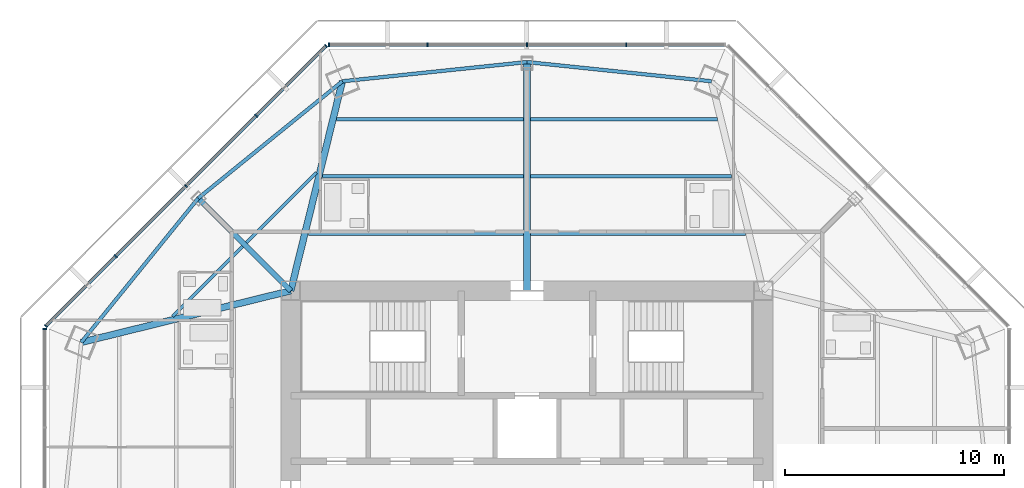
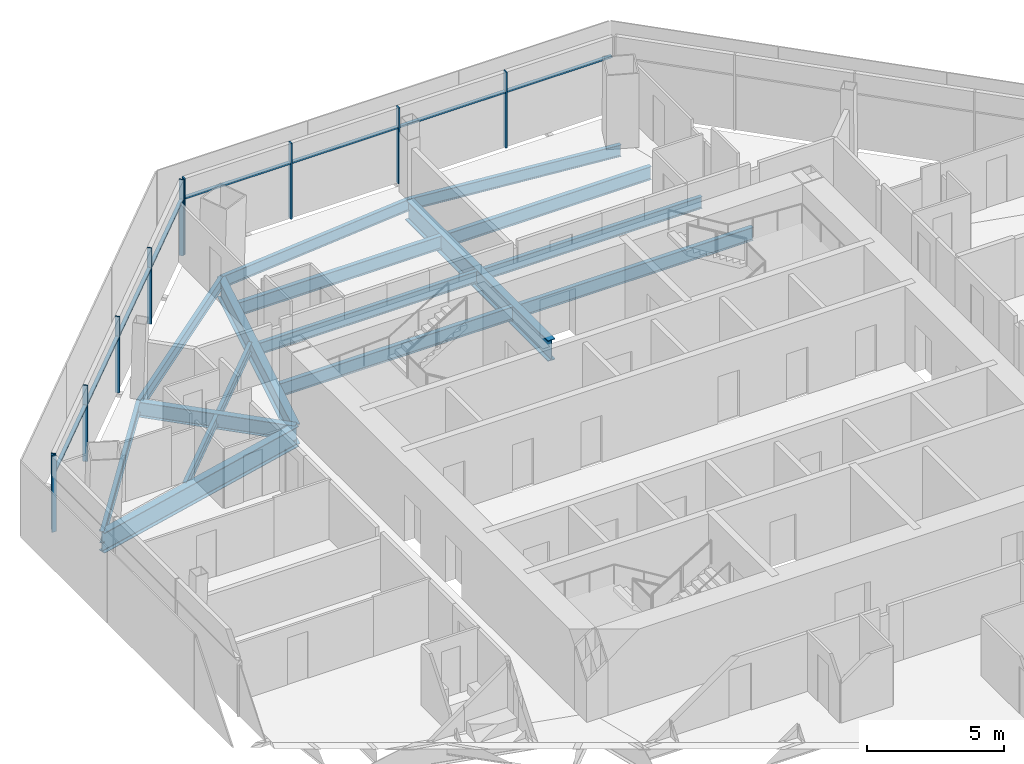
# One storey, part 5 of 15: 18 members, 16 beams, 3 elements without a shape of their own.
"""IFC4 building model written with IfcOpenShell, lengths in metres."""

from ifc_helpers import new_model, si_unit, direction, frame, origin, origin_2d, place, context, subcontext, project, spatial, rectangle, i_section, extrude, source, transform, mapped, material, material_profile, profile_set, type_object, type_shapes, element, aggregate, save


model = new_model("IFC4")

# Units and contexts
model_context = context("Model", 3, precision=1e-05, world=origin(), true_north=direction((0.0, 1.0)))
body_context = subcontext(model_context, "Body", "Model", "MODEL_VIEW")
ifc_project = project(units=[si_unit("LENGTHUNIT", "METRE"), si_unit("AREAUNIT", "SQUARE_METRE"), si_unit("VOLUMEUNIT", "CUBIC_METRE"), si_unit("PLANEANGLEUNIT", "RADIAN"), si_unit("MASSUNIT", "GRAM", prefix="KILO")], contexts=[model_context])

# Site, building, storey
site_placement = place(None, origin())
site = spatial("IfcSite", under=ifc_project, at=site_placement, CompositionType="ELEMENT")
building_placement = place(site_placement, origin())
building = spatial("IfcBuilding", under=site, at=building_placement, Name="Mashrafa Tower", CompositionType="ELEMENT")
storey_placement = place(building_placement, frame((0.0, 0.0, 210.800048828125)))
storey = spatial("IfcBuildingStorey", under=building, at=storey_placement, Name="L48", CompositionType="ELEMENT", Elevation=210.800048828125)

# Beams
ifc_material_1 = material(Name="Steel ASTM A992", Category="steel")
ifc_material_profile_1 = material_profile(ifc_material_1, i_section(OverallWidth=0.15234375, OverallDepth=0.449462890625, WebThickness=0.007568359375, FlangeThickness=0.0107421875, FilletRadius=0.01025390625, at=origin_2d()), Name="W18X35")
ifc_profile_set_1 = profile_set([ifc_material_profile_1], Name="Steel ASTM A992")
beam_type_1 = type_object("IfcBeamType", Name="Beam W18X35", PredefinedType="BEAM", material=ifc_profile_set_1)
for number, where, z_axis, x_axis, name in (
    (1, (-16.205078125, 9.6259765625, -0.4248046875), (0.707106781187, 0.707106781187, 0.0), (-0.707106781187, 0.707106781187, 0.0), "Floor beam L48 003"),
    (2, (-12.82568359375, 13.00537109375, -0.4248046875), (0.707106781187, 0.707106781187, 0.0), (-0.707106781187, 0.707106781187, 0.0), "Floor beam L48 009"),
):
    element("IfcBeam", number, at=place(storey_placement, frame(where, z_axis=z_axis, x_axis=x_axis)), inside=storey, type_object=beam_type_1, Name=name, PredefinedType="BEAM", context=body_context, shape_type="SweptSolid", body=[
        extrude(i_section(OverallWidth=0.15234375, OverallDepth=0.449462890625, WebThickness=0.007568359375, FlangeThickness=0.0107421875, FilletRadius=0.01025390625, at=origin_2d()), origin(), (0.0, 0.0, 1.0), 4.525146484375),
    ])
ifc_material_2 = material(Name="Steel ASTM A992", Category="steel")
ifc_material_profile_2 = material_profile(ifc_material_2, i_section(OverallWidth=0.1650390625, OverallDepth=0.52587890625, WebThickness=0.0087890625, FlangeThickness=0.011474609375, FilletRadius=0.0126953125, at=origin_2d()), Name="W21X44")
ifc_profile_set_2 = profile_set([ifc_material_profile_2], Name="Steel ASTM A992")
beam_type_2 = type_object("IfcBeamType", Name="Beam W21X44", PredefinedType="BEAM", material=ifc_profile_set_2)
for number, where, z_axis, x_axis, name in (
    (3, (-9.35546875, 16.028564453125, -0.462890625), (1.0, 0.0, 0.0), (0.0, 1.0, 0.0), "Floor beam L48 011"),
    (4, (0.15380859375, 16.028564453125, -0.462890625), (1.0, 0.0, 0.0), (0.0, 1.0, 0.0), "Floor beam L48 018"),
):
    element("IfcBeam", number, at=place(storey_placement, frame(where, z_axis=z_axis, x_axis=x_axis)), inside=storey, type_object=beam_type_2, Name=name, PredefinedType="BEAM", context=body_context, shape_type="SweptSolid", body=[
        extrude(i_section(OverallWidth=0.1650390625, OverallDepth=0.52587890625, WebThickness=0.0087890625, FlangeThickness=0.011474609375, FilletRadius=0.0126953125, at=origin_2d()), origin(), (0.0, 0.0, 1.0), 9.20166015625),
    ])
for number, where, z_axis, x_axis, name in (
    (5, (-15.031005859375, 15.031005859375, -0.462890625), (-0.630141993173, -0.776479921466, 0.0), (0.776479921466, -0.630141993173, 0.0), "Spandrel beam L48 053"),
    (6, (-8.441162109375, 20.37890625, -0.462890625), (-0.776479921466, -0.630141993173, 0.0), (0.630141993173, -0.776479921466, 0.0), "Spandrel beam L48 055"),
    (7, (0.0, 21.257080078125, -0.462890625), (-0.994631925651, -0.103476241115, 0.0), (0.103476241115, -0.994631925651, 0.0), "Spandrel beam L48 057"),
    (8, (8.441162109375, 20.37890625, -0.462890625), (-0.994631925651, 0.103476241115, 0.0), (-0.103476241115, -0.994631925651, 0.0), "Spandrel beam L48 059"),
):
    element("IfcBeam", number, at=place(storey_placement, frame(where, z_axis=z_axis, x_axis=x_axis)), inside=storey, type_object=beam_type_2, Name=name, PredefinedType="BEAM", context=body_context, shape_type="SweptSolid", body=[
        extrude(i_section(OverallWidth=0.1650390625, OverallDepth=0.52587890625, WebThickness=0.0087890625, FlangeThickness=0.011474609375, FilletRadius=0.0126953125, at=origin_2d()), origin(), (0.0, 0.0, 1.0), 8.48681640625),
    ])
ifc_material_3 = material(Name="Steel ASTM A992", Category="steel")
ifc_material_profile_3 = material_profile(ifc_material_3, i_section(OverallWidth=0.177978515625, OverallDepth=0.599365234375, WebThickness=0.010009765625, FlangeThickness=0.012939453125, FilletRadius=0.012939453125, at=origin_2d()), Name="W24X55")
ifc_profile_set_3 = profile_set([ifc_material_profile_3], Name="Steel ASTM A992")
beam_type_3 = type_object("IfcBeamType", Name="Beam W24X55", PredefinedType="BEAM", material=ifc_profile_set_3)
beam_1_placement = place(storey_placement, frame((-9.999267578125, 13.414306640625, -0.499755859375), z_axis=(1.0, 0.0, 0.0), x_axis=(0.0, 1.0, 0.0)))
element("IfcBeam", 9, at=beam_1_placement, inside=storey, type_object=beam_type_3, Name="Floor beam L48 010", PredefinedType="BEAM", context=body_context, shape_type="SweptSolid", body=[
    extrude(i_section(OverallWidth=0.177978515625, OverallDepth=0.599365234375, WebThickness=0.010009765625, FlangeThickness=0.012939453125, FilletRadius=0.012939453125, at=origin_2d()), origin(), (0.0, 0.0, 1.0), 9.845458984375),
])
beam_2_placement = place(storey_placement, frame((-8.711669921875, 18.642822265625, -0.499755859375), z_axis=(1.0, 0.0, 0.0), x_axis=(0.0, 1.0, 0.0)))
element("IfcBeam", 10, at=beam_2_placement, inside=storey, type_object=beam_type_3, Name="Floor beam L48 013", PredefinedType="BEAM", context=body_context, shape_type="SweptSolid", body=[
    extrude(i_section(OverallWidth=0.177978515625, OverallDepth=0.599365234375, WebThickness=0.010009765625, FlangeThickness=0.012939453125, FilletRadius=0.012939453125, at=origin_2d()), origin(), (0.0, 0.0, 1.0), 8.557861328125),
])
beam_3_placement = place(storey_placement, frame((0.15380859375, 13.414306640625, -0.499755859375), z_axis=(1.0, 0.0, 0.0), x_axis=(0.0, 1.0, 0.0)))
element("IfcBeam", 11, at=beam_3_placement, inside=storey, type_object=beam_type_3, Name="Floor beam L48 017", PredefinedType="BEAM", context=body_context, shape_type="SweptSolid", body=[
    extrude(i_section(OverallWidth=0.177978515625, OverallDepth=0.599365234375, WebThickness=0.010009765625, FlangeThickness=0.012939453125, FilletRadius=0.012939453125, at=origin_2d()), origin(), (0.0, 0.0, 1.0), 9.845458984375),
])
beam_4_placement = place(storey_placement, frame((0.15380859375, 18.642822265625, -0.499755859375), z_axis=(1.0, 0.0, 0.0), x_axis=(0.0, 1.0, 0.0)))
element("IfcBeam", 12, at=beam_4_placement, inside=storey, type_object=beam_type_3, Name="Floor beam L48 019", PredefinedType="BEAM", context=body_context, shape_type="SweptSolid", body=[
    extrude(i_section(OverallWidth=0.177978515625, OverallDepth=0.599365234375, WebThickness=0.010009765625, FlangeThickness=0.012939453125, FilletRadius=0.012939453125, at=origin_2d()), origin(), (0.0, 0.0, 1.0), 8.557861328125),
])
ifc_material_4 = material(Name="Steel ASTM A992", Category="steel")
ifc_material_profile_4 = material_profile(ifc_material_4, i_section(OverallWidth=0.25390625, OverallDepth=0.67822265625, WebThickness=0.01171875, FlangeThickness=0.016357421875, FilletRadius=0.01513671875, at=origin_2d()), Name="W27X84")
ifc_profile_set_4 = profile_set([ifc_material_profile_4], Name="Steel ASTM A992")
beam_type_4 = type_object("IfcBeamType", Name="Beam W27X84", PredefinedType="BEAM", material=ifc_profile_set_4)
beam_5_placement = place(storey_placement, frame((-10.800048828125, 10.800048828125, -0.5390625), z_axis=(-0.707106781187, 0.707106781187, 0.0), x_axis=(-0.707106781187, -0.707106781187, 0.0)))
element("IfcBeam", 13, at=beam_5_placement, inside=storey, type_object=beam_type_4, Name="Radial girder L48 038", PredefinedType="BEAM", context=body_context, shape_type="SweptSolid", body=[
    extrude(i_section(OverallWidth=0.25390625, OverallDepth=0.67822265625, WebThickness=0.01171875, FlangeThickness=0.016357421875, FilletRadius=0.01513671875, at=origin_2d()), origin(), (0.0, 0.0, 1.0), 5.9833984375),
])
ifc_material_5 = material(Name="Steel ASTM A992", Category="steel")
ifc_material_profile_5 = material_profile(ifc_material_5, i_section(OverallWidth=0.3046875, OverallDepth=0.911865234375, WebThickness=0.015869140625, FlangeThickness=0.02392578125, FilletRadius=0.01904296875, at=origin_2d()), Name="W36X150")
ifc_profile_set_5 = profile_set([ifc_material_profile_5], Name="Steel ASTM A992")
beam_type_5 = type_object("IfcBeamType", Name="Beam W36X150", PredefinedType="BEAM", material=ifc_profile_set_5)
for number, where, z_axis, x_axis, name in (
    (14, (-10.800048828125, 10.800048828125, -0.656005859375), (-0.9709910152, -0.2391159727, 0.0), (0.2391159727, -0.9709910152, 0.0), "Radial girder L48 037"),
    (15, (-10.800048828125, 10.800048828125, -0.656005859375), (0.2391159727, 0.9709910152, 0.0), (-0.9709910152, 0.2391159727, 0.0), "Radial girder L48 039"),
):
    element("IfcBeam", number, at=place(storey_placement, frame(where, z_axis=z_axis, x_axis=x_axis)), inside=storey, type_object=beam_type_5, Name=name, PredefinedType="BEAM", context=body_context, shape_type="SweptSolid", body=[
        extrude(i_section(OverallWidth=0.3046875, OverallDepth=0.911865234375, WebThickness=0.015869140625, FlangeThickness=0.02392578125, FilletRadius=0.01904296875, at=origin_2d()), origin(), (0.0, 0.0, 1.0), 9.864990234375),
    ])
ifc_material_6 = material(Name="Steel ASTM A992", Category="steel")
ifc_material_profile_6 = material_profile(ifc_material_6, i_section(OverallWidth=0.307373046875, OverallDepth=0.927001953125, WebThickness=0.01953125, FlangeThickness=0.031982421875, FilletRadius=0.01904296875, at=origin_2d()), Name="W36X194")
ifc_profile_set_6 = profile_set([ifc_material_profile_6], Name="Steel ASTM A992")
beam_type_6 = type_object("IfcBeamType", Name="Beam W36X194", PredefinedType="BEAM", material=ifc_profile_set_6)
beam_6_placement = place(storey_placement, frame((0.0, 10.800048828125, -0.66357421875), z_axis=(0.0, 1.0, 0.0), x_axis=(-1.0, 0.0, 0.0)))
element("IfcBeam", 16, at=beam_6_placement, inside=storey, type_object=beam_type_6, Name="Radial girder L48 041", PredefinedType="BEAM", context=body_context, shape_type="SweptSolid", body=[
    extrude(i_section(OverallWidth=0.307373046875, OverallDepth=0.927001953125, WebThickness=0.01953125, FlangeThickness=0.031982421875, FilletRadius=0.01904296875, at=origin_2d()), origin(), (0.0, 0.0, 1.0), 10.45703125),
])

# Curtain wall, members
ifc_material_7 = material(Name="Unitised aluminium curtain wall", Category="aluminium")
curtain_wall_type = type_object("IfcCurtainWallType", Name="Apartment curtain wall, zone 3 CW-C 180 deep", PredefinedType="NOTDEFINED", material=ifc_material_7)
curtain_wall_1_placement = place(storey_placement, origin())
curtain_wall_1 = element("IfcCurtainWall", 17, at=curtain_wall_1_placement, inside=storey, type_object=curtain_wall_type, Name="Apartment curtain wall, zone 3 L48 north", PredefinedType="NOTDEFINED")
ifc_material_8 = material(Name="Extruded aluminium mullion", Category="aluminium")
ifc_material_profile_7 = material_profile(ifc_material_8, rectangle(XDim=0.179931640625, YDim=0.06005859375, at=origin_2d()), Name="Mullion 60x180")
ifc_profile_set_7 = profile_set([ifc_material_profile_7], Name="Extruded aluminium mullion")
member_type_1 = type_object("IfcMemberType", Name="Mullion CW-C 60 x 180", PredefinedType="MULLION", material=ifc_profile_set_7)
shared_shape_1 = source(origin(), body_context, "Body", "SweptSolid", [
    extrude(rectangle(XDim=0.179931640625, YDim=0.06005859375, at=origin_2d()), origin(), (0.0, 0.0, 1.0), 3.39990234375),
])
type_shapes(member_type_1, [shared_shape_1])
member_1_placement = place(storey_placement, frame((4.54345703125, 22.051513671875, 0.0), z_axis=(0.0, 0.0, 1.0), x_axis=(0.0, -1.0, 0.0)))
member_1 = element("IfcMember", 18, at=member_1_placement, type_object=member_type_1, Name="CW-C mullion 2", PredefinedType="MULLION", context=body_context, shape_type="MappedRepresentation", body=[
    mapped(shared_shape_1, transform((0.0, 0.0, 0.0))),
])
member_2_placement = place(storey_placement, frame((0.0, 22.051513671875, 0.0), z_axis=(0.0, 0.0, 1.0), x_axis=(0.0, -1.0, 0.0)))
member_2 = element("IfcMember", 19, at=member_2_placement, type_object=member_type_1, Name="CW-C mullion 3", PredefinedType="MULLION", context=body_context, shape_type="MappedRepresentation", body=[
    mapped(shared_shape_1, transform((0.0, 0.0, 0.0))),
])
member_3_placement = place(storey_placement, frame((-4.54345703125, 22.051513671875, 0.0), z_axis=(0.0, 0.0, 1.0), x_axis=(0.0, -1.0, 0.0)))
member_3 = element("IfcMember", 20, at=member_3_placement, type_object=member_type_1, Name="CW-C mullion 4", PredefinedType="MULLION", context=body_context, shape_type="MappedRepresentation", body=[
    mapped(shared_shape_1, transform((0.0, 0.0, 0.0))),
])
member_4_placement = place(storey_placement, frame((-9.056640625, 22.051513671875, 0.0), z_axis=(0.0, 0.0, 1.0), x_axis=(0.0, -1.0, 0.0)))
member_4 = element("IfcMember", 21, at=member_4_placement, type_object=member_type_1, Name="CW-C mullion 5", PredefinedType="MULLION", context=body_context, shape_type="MappedRepresentation", body=[
    mapped(shared_shape_1, transform((0.0, 0.0, 0.0))),
])

curtain_wall_2_placement = place(storey_placement, origin())
curtain_wall_2 = element("IfcCurtainWall", 22, at=curtain_wall_2_placement, inside=storey, type_object=curtain_wall_type, Name="Apartment curtain wall, zone 3 L48 north-west", PredefinedType="NOTDEFINED")
member_5_placement = place(storey_placement, frame((-9.188720703125, 21.996826171875, 0.0), z_axis=(0.0, 0.0, 1.0), x_axis=(0.707106781187, -0.707106781187, 0.0)))
member_5 = element("IfcMember", 23, at=member_5_placement, type_object=member_type_1, Name="CW-C mullion 1", PredefinedType="MULLION", context=body_context, shape_type="MappedRepresentation", body=[
    mapped(shared_shape_1, transform((0.0, 0.0, 0.0))),
])
member_6_placement = place(storey_placement, frame((-12.380126953125, 18.805419921875, 0.0), z_axis=(0.0, 0.0, 1.0), x_axis=(0.707106781187, -0.707106781187, 0.0)))
member_6 = element("IfcMember", 24, at=member_6_placement, type_object=member_type_1, Name="CW-C mullion 2", PredefinedType="MULLION", context=body_context, shape_type="MappedRepresentation", body=[
    mapped(shared_shape_1, transform((0.0, 0.0, 0.0))),
])
member_7_placement = place(storey_placement, frame((-15.5927734375, 15.5927734375, 0.0), z_axis=(0.0, 0.0, 1.0), x_axis=(0.707106781187, -0.707106781187, 0.0)))
member_7 = element("IfcMember", 25, at=member_7_placement, type_object=member_type_1, Name="CW-C mullion 3", PredefinedType="MULLION", context=body_context, shape_type="MappedRepresentation", body=[
    mapped(shared_shape_1, transform((0.0, 0.0, 0.0))),
])
member_8_placement = place(storey_placement, frame((-18.805419921875, 12.380126953125, 0.0), z_axis=(0.0, 0.0, 1.0), x_axis=(0.707106781187, -0.707106781187, 0.0)))
member_8 = element("IfcMember", 26, at=member_8_placement, type_object=member_type_1, Name="CW-C mullion 4", PredefinedType="MULLION", context=body_context, shape_type="MappedRepresentation", body=[
    mapped(shared_shape_1, transform((0.0, 0.0, 0.0))),
])
member_9_placement = place(storey_placement, frame((-21.996826171875, 9.188720703125, 0.0), z_axis=(0.0, 0.0, 1.0), x_axis=(0.707106781187, -0.707106781187, 0.0)))
member_9 = element("IfcMember", 27, at=member_9_placement, type_object=member_type_1, Name="CW-C mullion 5", PredefinedType="MULLION", context=body_context, shape_type="MappedRepresentation", body=[
    mapped(shared_shape_1, transform((0.0, 0.0, 0.0))),
])

# Curtain wall, member
curtain_wall_3_placement = place(storey_placement, origin())
curtain_wall_3 = element("IfcCurtainWall", 28, at=curtain_wall_3_placement, inside=storey, type_object=curtain_wall_type, Name="Apartment curtain wall, zone 3 L48 west", PredefinedType="NOTDEFINED")
member_10_placement = place(storey_placement, frame((-22.051513671875, 9.056640625, 0.0), z_axis=(0.0, 0.0, 1.0), x_axis=(1.0, 0.0, 0.0)))
member_10 = element("IfcMember", 29, at=member_10_placement, type_object=member_type_1, Name="CW-C mullion 1", PredefinedType="MULLION", context=body_context, shape_type="MappedRepresentation", body=[
    mapped(shared_shape_1, transform((0.0, 0.0, 0.0))),
])
aggregate(curtain_wall_3, [member_10])

# Member
ifc_material_9 = material(Name="Extruded aluminium transom", Category="aluminium")
ifc_material_profile_8 = material_profile(ifc_material_9, rectangle(XDim=0.14404296875, YDim=0.074951171875, at=origin_2d()), Name="Transom 75x144")
ifc_profile_set_8 = profile_set([ifc_material_profile_8], Name="Extruded aluminium transom")
member_type_2 = type_object("IfcMemberType", Name="Transom CW-C 75 x 144", PredefinedType="MULLION", material=ifc_profile_set_8)
shared_shape_2 = source(origin(), body_context, "Body", "SweptSolid", [
    extrude(rectangle(XDim=0.14404296875, YDim=0.074951171875, at=origin_2d()), origin(), (0.0, 0.0, 1.0), 4.453369140625),
])
member_11_placement = place(storey_placement, frame((9.02685546875, 22.051513671875, 2.5), z_axis=(-1.0, 0.0, 0.0), x_axis=(0.0, -1.0, 0.0)))
member_11 = element("IfcMember", 30, at=member_11_placement, type_object=member_type_2, Name="CW-C transom 1", PredefinedType="MULLION", context=body_context, shape_type="MappedRepresentation", body=[
    mapped(shared_shape_2, transform((0.0, 0.0, 0.0))),
])

member_12_placement = place(storey_placement, frame((-4.573486328125, 22.051513671875, 2.5), z_axis=(-1.0, 0.0, 0.0), x_axis=(0.0, -1.0, 0.0)))
member_12 = element("IfcMember", 31, at=member_12_placement, type_object=member_type_2, Name="CW-C transom 4", PredefinedType="MULLION", context=body_context, shape_type="MappedRepresentation", body=[
    mapped(shared_shape_2, transform((0.0, 0.0, 0.0))),
])

member_13_placement = place(storey_placement, frame((-9.2099609375, 21.9755859375, 2.5), z_axis=(-0.707106781187, -0.707106781187, 0.0), x_axis=(0.707106781187, -0.707106781187, 0.0)))
member_13 = element("IfcMember", 32, at=member_13_placement, type_object=member_type_2, Name="CW-C transom 1", PredefinedType="MULLION", context=body_context, shape_type="MappedRepresentation", body=[
    mapped(shared_shape_2, transform((0.0, 0.0, 0.0))),
])

member_14_placement = place(storey_placement, frame((-18.82666015625, 12.35888671875, 2.5), z_axis=(-0.707106781187, -0.707106781187, 0.0), x_axis=(0.707106781187, -0.707106781187, 0.0)))
member_14 = element("IfcMember", 33, at=member_14_placement, type_object=member_type_2, Name="CW-C transom 4", PredefinedType="MULLION", context=body_context, shape_type="MappedRepresentation", body=[
    mapped(shared_shape_2, transform((0.0, 0.0, 0.0))),
])

shared_shape_3 = source(origin(), body_context, "Body", "SweptSolid", [
    extrude(rectangle(XDim=0.14404296875, YDim=0.074951171875, at=origin_2d()), origin(), (0.0, 0.0, 1.0), 4.4833984375),
])
type_shapes(member_type_2, [shared_shape_2, shared_shape_3])
member_15_placement = place(storey_placement, frame((4.513427734375, 22.051513671875, 2.5), z_axis=(-1.0, 0.0, 0.0), x_axis=(0.0, -1.0, 0.0)))
member_15 = element("IfcMember", 34, at=member_15_placement, type_object=member_type_2, Name="CW-C transom 2", PredefinedType="MULLION", context=body_context, shape_type="MappedRepresentation", body=[
    mapped(shared_shape_3, transform((0.0, 0.0, 0.0))),
])

member_16_placement = place(storey_placement, frame((-0.030029296875, 22.051513671875, 2.5), z_axis=(-1.0, 0.0, 0.0), x_axis=(0.0, -1.0, 0.0)))
member_16 = element("IfcMember", 35, at=member_16_placement, type_object=member_type_2, Name="CW-C transom 3", PredefinedType="MULLION", context=body_context, shape_type="MappedRepresentation", body=[
    mapped(shared_shape_3, transform((0.0, 0.0, 0.0))),
])

aggregate(curtain_wall_1, [member_1, member_2, member_3, member_4, member_11, member_15, member_16, member_12])

member_17_placement = place(storey_placement, frame((-12.4013671875, 18.7841796875, 2.5), z_axis=(-0.707106781187, -0.707106781187, 0.0), x_axis=(0.707106781187, -0.707106781187, 0.0)))
member_17 = element("IfcMember", 36, at=member_17_placement, type_object=member_type_2, Name="CW-C transom 2", PredefinedType="MULLION", context=body_context, shape_type="MappedRepresentation", body=[
    mapped(shared_shape_3, transform((0.0, 0.0, 0.0))),
])

member_18_placement = place(storey_placement, frame((-15.614013671875, 15.571533203125, 2.5), z_axis=(-0.707106781187, -0.707106781187, 0.0), x_axis=(0.707106781187, -0.707106781187, 0.0)))
member_18 = element("IfcMember", 37, at=member_18_placement, type_object=member_type_2, Name="CW-C transom 3", PredefinedType="MULLION", context=body_context, shape_type="MappedRepresentation", body=[
    mapped(shared_shape_3, transform((0.0, 0.0, 0.0))),
])

aggregate(curtain_wall_2, [member_5, member_6, member_7, member_8, member_9, member_13, member_17, member_18, member_14])

save(model, "model.ifc")
